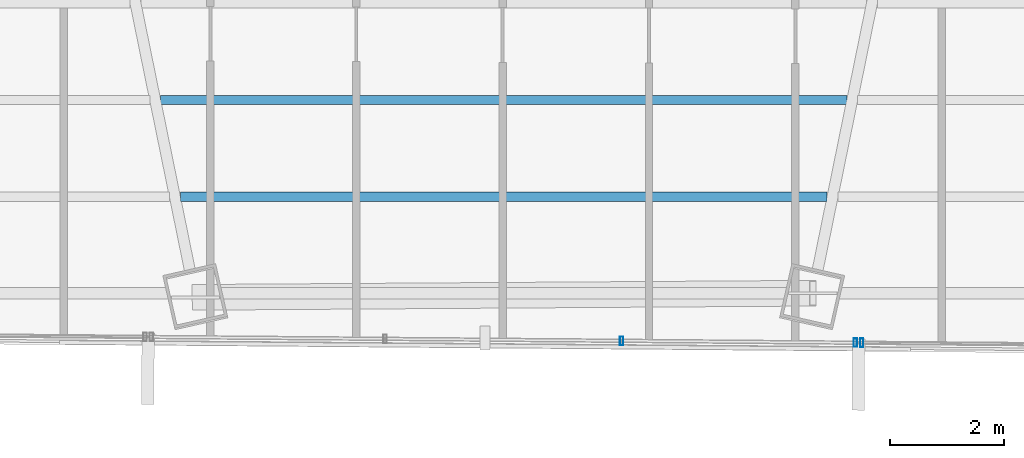
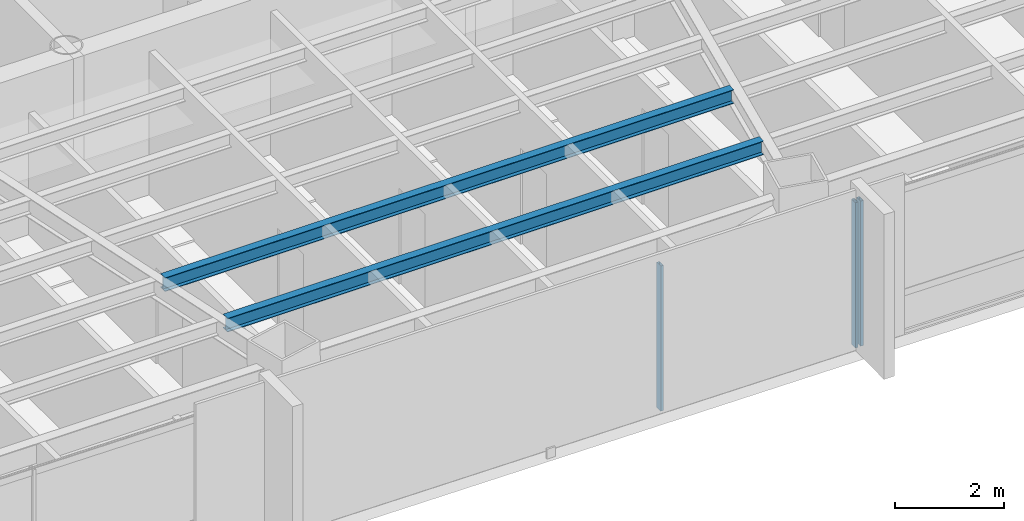
# One storey, part 10 of 40: 3 members, 2 beams, 2 elements without a shape of their own.
"""IFC4 building model written with IfcOpenShell, lengths in metres."""

from ifc_helpers import new_model, si_unit, direction, frame, origin, origin_2d, place, context, subcontext, project, spatial, hollow_rectangle, i_section, extrude, source, transform, mapped, material, material_profile, profile_set, type_object, type_shapes, element, aggregate, save


model = new_model("IFC4")

# Units and contexts
model_context = context("Model", 3, precision=1e-05, world=origin(), true_north=direction((0.0, 1.0)))
body_context = subcontext(model_context, "Body", "Model", "MODEL_VIEW")
ifc_project = project(units=[si_unit("LENGTHUNIT", "METRE"), si_unit("AREAUNIT", "SQUARE_METRE"), si_unit("VOLUMEUNIT", "CUBIC_METRE"), si_unit("PLANEANGLEUNIT", "RADIAN"), si_unit("MASSUNIT", "GRAM", prefix="KILO")], contexts=[model_context])

# Site, building, storey
site_placement = place(None, origin())
site = spatial("IfcSite", under=ifc_project, at=site_placement, CompositionType="ELEMENT")
building_placement = place(site_placement, origin())
building = spatial("IfcBuilding", under=site, at=building_placement, Name="Caelisora Broadcast Tower", CompositionType="ELEMENT")
storey_placement = place(building_placement, frame((0.0, 0.0, 146.39990234375)))
storey = spatial("IfcBuildingStorey", under=building, at=storey_placement, Name="L38", CompositionType="ELEMENT", Elevation=146.39990234375)

# Beams
ifc_material_1 = material(Name="Steel Grade 350 (AS/NZS 3679.1)", Category="steel")
ifc_material_profile_1 = material_profile(ifc_material_1, i_section(OverallWidth=0.166015625, OverallDepth=0.30712890625, WebThickness=0.006591796875, FlangeThickness=0.01171875, at=origin_2d()), Name="Steel Grade 350 (AS/NZS 3679.1)")
ifc_profile_set_1 = profile_set([ifc_material_profile_1], Name="Steel Grade 350 (AS/NZS 3679.1)")
beam_type = type_object("IfcBeamType", Name="SB03", PredefinedType="JOIST", material=ifc_profile_set_1)
shared_shape_1 = source(origin(), body_context, "Body", "SweptSolid", [
    extrude(i_section(OverallWidth=0.166015625, OverallDepth=0.30712890625, WebThickness=0.006591796875, FlangeThickness=0.01171875, at=origin_2d()), origin(), (0.0, 0.0, 1.0), 12.04736328125),
])
beam_1_placement = place(storey_placement, frame((31.976318359375, 10.616943359375, 3.096435546875), z_axis=(1.0, 0.0, 0.0), x_axis=(0.0, 1.0, 0.0)))
element("IfcBeam", 1, at=beam_1_placement, inside=storey, type_object=beam_type, Name="L38 beam SB03", PredefinedType="JOIST", context=body_context, shape_type="MappedRepresentation", body=[
    mapped(shared_shape_1, transform((0.0, 0.0, 0.0), scale=1.0)),
])
shared_shape_2 = source(origin(), body_context, "Body", "SweptSolid", [
    extrude(i_section(OverallWidth=0.166015625, OverallDepth=0.30712890625, WebThickness=0.006591796875, FlangeThickness=0.01171875, at=origin_2d()), origin(), (0.0, 0.0, 1.0), 11.3564453125),
])
type_shapes(beam_type, [shared_shape_1, shared_shape_2])
beam_2_placement = place(storey_placement, frame((32.32177734375, 8.921142578125, 3.096435546875), z_axis=(1.0, 0.0, 0.0), x_axis=(0.0, 1.0, 0.0)))
element("IfcBeam", 2, at=beam_2_placement, inside=storey, type_object=beam_type, Name="L38 beam SB03", PredefinedType="JOIST", context=body_context, shape_type="MappedRepresentation", body=[
    mapped(shared_shape_2, transform((0.0, 0.0, 0.0), scale=1.0)),
])

# Curtain wall, member
ifc_material_2 = material(Name="Unitised Aluminium and Low-E Glass Curtain Wall", Category="glass")
curtain_wall_type_1 = type_object("IfcCurtainWallType", Name="CW-Z3", PredefinedType="NOTDEFINED", material=ifc_material_2)
curtain_wall_1_placement = place(storey_placement, origin())
curtain_wall_1 = element("IfcCurtainWall", 3, at=curtain_wall_1_placement, inside=storey, type_object=curtain_wall_type_1, Name="L38 curtain wall CW-Z3", PredefinedType="NOTDEFINED")
ifc_material_3 = material(Name="Aluminium 6063-T6 Anodised Terracotta Bronze", Category="aluminium")
ifc_material_profile_2 = material_profile(ifc_material_3, hollow_rectangle(XDim=0.06005859375, YDim=0.14990234375, WallThickness=0.00341796875, at=origin_2d()), Name="Aluminium 6063-T6 Anodised Terracotta Bronze")
ifc_profile_set_2 = profile_set([ifc_material_profile_2], Name="Aluminium 6063-T6 Anodised Terracotta Bronze")
member_type = type_object("IfcMemberType", Name="CWM-03", PredefinedType="MULLION", material=ifc_profile_set_2)
shared_shape_3 = source(origin(), body_context, "Body", "SweptSolid", [
    extrude(hollow_rectangle(XDim=0.06005859375, YDim=0.14990234375, WallThickness=0.00341796875, at=origin_2d()), origin(), (0.0, 0.0, 1.0), 3.25),
])
type_shapes(member_type, [shared_shape_3])
member_1_placement = place(storey_placement, frame((44.2841796875, 6.355712890625, 0.0), z_axis=(0.0, 0.0, 1.0), x_axis=(1.0, 0.0, 0.0)))
member_1 = element("IfcMember", 4, at=member_1_placement, type_object=member_type, Name="L38-CW-B05 mullion #3", PredefinedType="MULLION", context=body_context, shape_type="MappedRepresentation", body=[
    mapped(shared_shape_3, transform((0.0, 0.0, 0.0), scale=1.0)),
])
aggregate(curtain_wall_1, [member_1])

# Curtain wall, members
ifc_material_4 = material(Name="Unitised Aluminium Insulated Shadow-Box Spandrel Curtain Wall", Category="aluminium")
curtain_wall_type_2 = type_object("IfcCurtainWallType", Name="CW-SP2", PredefinedType="NOTDEFINED", material=ifc_material_4)
curtain_wall_2_placement = place(storey_placement, origin())
curtain_wall_2 = element("IfcCurtainWall", 5, at=curtain_wall_2_placement, inside=storey, type_object=curtain_wall_type_2, Name="L38 curtain wall CW-SP2", PredefinedType="NOTDEFINED")
member_2_placement = place(storey_placement, frame((44.17431640625, 6.3564453125, 0.0), z_axis=(0.0, 0.0, 1.0), x_axis=(1.0, 0.0, 0.0)))
member_2 = element("IfcMember", 6, at=member_2_placement, type_object=member_type, Name="L38-CW-B06 mullion #0", PredefinedType="MULLION", context=body_context, shape_type="MappedRepresentation", body=[
    mapped(shared_shape_3, transform((0.0, 0.0, 0.0), scale=1.0)),
])
member_3_placement = place(storey_placement, frame((40.07080078125, 6.39013671875, 0.0), z_axis=(0.0, 0.0, 1.0), x_axis=(1.0, 0.0, 0.0)))
member_3 = element("IfcMember", 7, at=member_3_placement, type_object=member_type, Name="L38-CW-B06 mullion #1", PredefinedType="MULLION", context=body_context, shape_type="MappedRepresentation", body=[
    mapped(shared_shape_3, transform((0.0, 0.0, 0.0), scale=1.0)),
])
aggregate(curtain_wall_2, [member_2, member_3])

save(model, "model.ifc")
